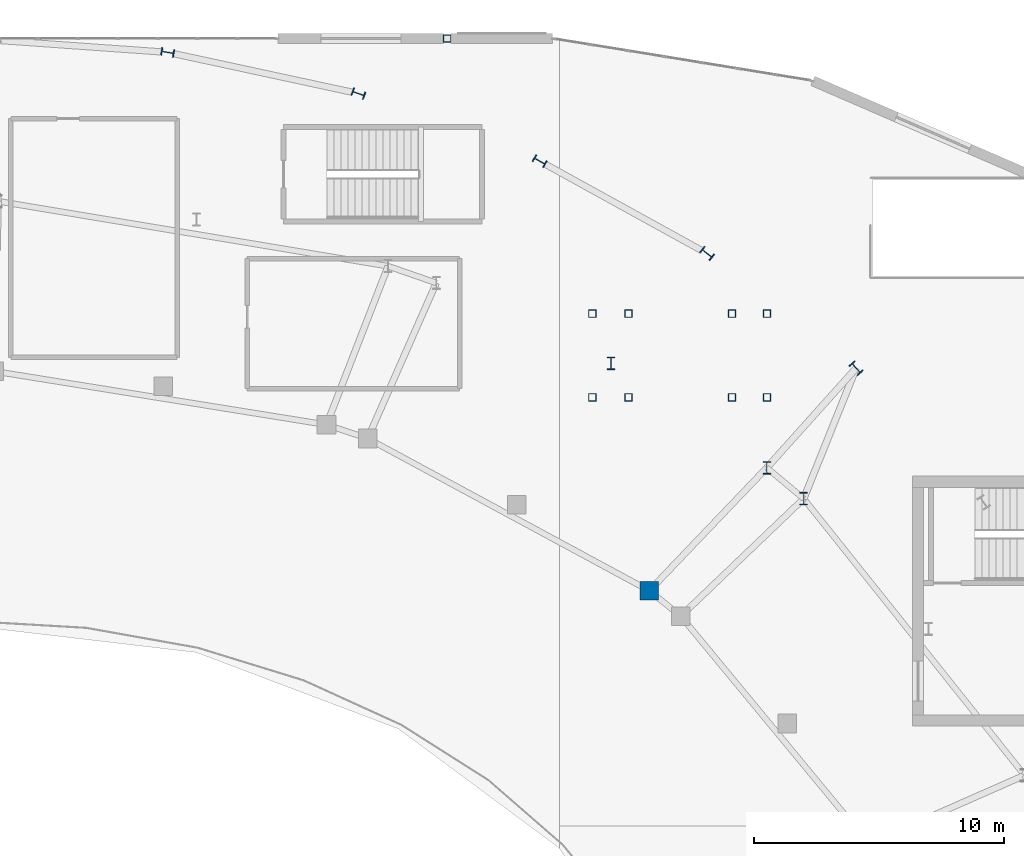
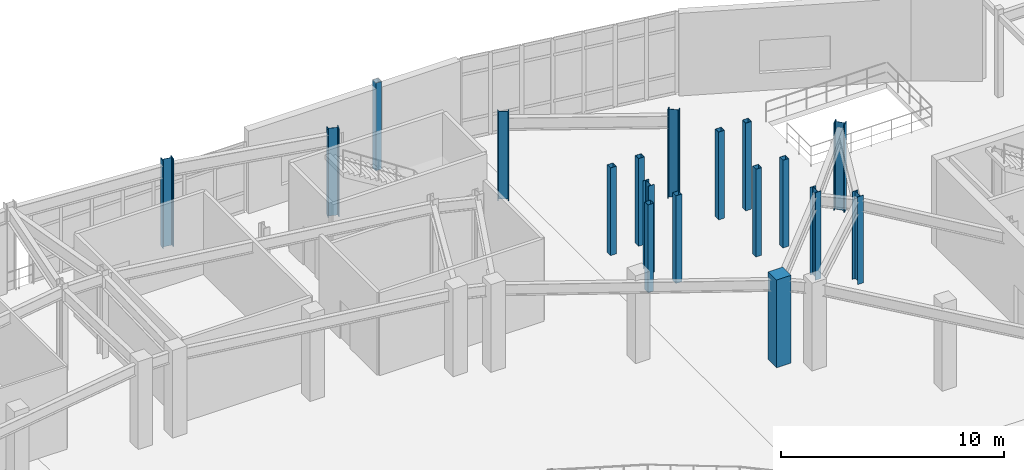
# One storey, part 16 of 86: 18 columns.
"""IFC4 building model written with IfcOpenShell, lengths in metres."""

from ifc_helpers import new_model, si_unit, direction, frame, origin, origin_2d, place, context, subcontext, project, spatial, rectangle, hollow_rectangle, i_section, extrude, material, material_profile, profile_set, type_object, element, save


model = new_model("IFC4")

# Units and contexts
model_context = context("Model", 3, precision=1e-05, world=origin(), true_north=direction((0.0, 1.0)))
body_context = subcontext(model_context, "Body", "Model", "MODEL_VIEW")
ifc_project = project(units=[si_unit("LENGTHUNIT", "METRE"), si_unit("AREAUNIT", "SQUARE_METRE"), si_unit("VOLUMEUNIT", "CUBIC_METRE"), si_unit("PLANEANGLEUNIT", "RADIAN"), si_unit("MASSUNIT", "GRAM", prefix="KILO")], contexts=[model_context])

# Site, building, storey
site_placement = place(None, origin())
site = spatial("IfcSite", under=ifc_project, at=site_placement, CompositionType="ELEMENT")
building_placement = place(site_placement, origin())
building = spatial("IfcBuilding", under=site, at=building_placement, Name="Glasvene Arena", CompositionType="ELEMENT")
storey_placement = place(building_placement, frame((0.0, 0.0, 5.39990234375)))
storey = spatial("IfcBuildingStorey", under=building, at=storey_placement, Name="L01", CompositionType="ELEMENT", Elevation=5.39990234375)

# Columns
ifc_material_1 = material(Name="Concrete C40/50", Category="concrete")
ifc_material_profile_1 = material_profile(ifc_material_1, rectangle(XDim=0.75, YDim=0.75, at=origin_2d()), Name="RC 750x750")
ifc_profile_set_1 = profile_set([ifc_material_profile_1], Name="Concrete C40/50")
column_type_1 = type_object("IfcColumnType", Name="COL-MID-RC750", PredefinedType="COLUMN", material=ifc_profile_set_1)
column_placement = place(storey_placement, frame((119.08251953125, 95.918212890625, 0.0), z_axis=(0.0, 0.0, 1.0), x_axis=(1.0, 0.0, 0.0)))
element("IfcColumn", 1, at=column_placement, inside=storey, type_object=column_type_1, Name="Mid-bowl fulcrum column L01 03-1", PredefinedType="COLUMN", context=body_context, shape_type="SweptSolid", body=[
    extrude(rectangle(XDim=0.75, YDim=0.75, at=origin_2d()), origin(), (0.0, 0.0, 1.0), 4.800048828125),
])
ifc_material_2 = material(Name="Steel S355J2", Category="steel")
ifc_material_profile_2 = material_profile(ifc_material_2, i_section(OverallWidth=0.305908203125, OverallDepth=0.52392578125, WebThickness=0.02099609375, FlangeThickness=0.0400390625, FilletRadius=0.027099609375, at=origin_2d()), Name="HEM 500")
ifc_profile_set_2 = profile_set([ifc_material_profile_2], Name="Steel S355J2")
column_type_2 = type_object("IfcColumnType", Name="COL-RING-HEM500", PredefinedType="COLUMN", material=ifc_profile_set_2)
for number, where, z_axis, x_axis, name in (
    (2, (127.355224609375, 104.81982421875, 0.0), (0.0, 0.0, 1.0), (0.74326159948, 0.669000892928, 0.0), "Bowl ring column R06 L01"),
    (3, (121.389404296875, 109.40576171875, 0.0), (0.0, 0.0, 1.0), (0.628098877137, 0.778133536444, 0.0), "Bowl ring column R07 L01"),
    (4, (114.699462890625, 113.09521484375, 0.0), (0.0, 0.0, 1.0), (0.492727341548, 0.87018375467, 0.0), "Bowl ring column R08 L01"),
    (5, (107.45068359375, 115.797607421875, 0.0), (0.0, 0.0, 1.0), (0.339558864524, 0.94058480613, 0.0), "Bowl ring column R09 L01"),
    (6, (99.82177734375, 117.446044921875, 0.0), (0.0, 0.0, 1.0), (0.173304404339, 0.984868307662, 0.0), "Bowl ring column R10 L01"),
):
    element("IfcColumn", number, at=place(storey_placement, frame(where, z_axis=z_axis, x_axis=x_axis)), inside=storey, type_object=column_type_2, Name=name, PredefinedType="COLUMN", context=body_context, shape_type="SweptSolid", body=[
        extrude(i_section(OverallWidth=0.305908203125, OverallDepth=0.52392578125, WebThickness=0.02099609375, FlangeThickness=0.0400390625, FilletRadius=0.027099609375, at=origin_2d()), origin(), (0.0, 0.0, 1.0), 4.800048828125),
    ])
ifc_material_profile_3 = material_profile(ifc_material_2, i_section(OverallWidth=0.300048828125, OverallDepth=0.5, WebThickness=0.014404296875, FlangeThickness=0.028076171875, FilletRadius=0.027099609375, at=origin_2d()), Name="HEB 500")
ifc_profile_set_3 = profile_set([ifc_material_profile_3], Name="Steel S355J2")
column_type_3 = type_object("IfcColumnType", Name="COL-W-HEB500", PredefinedType="COLUMN", material=ifc_profile_set_3)
for number, where, z_axis, x_axis, name in (
    (7, (125.256591796875, 99.59912109375, 0.0), (0.0, 0.0, 1.0), (1.0, 0.0, 0.0), "Upper raker rear column L01 02-2"),
    (8, (123.780517578125, 100.834228515625, 0.0), (0.0, 0.0, 1.0), (1.0, 0.0, 0.0), "Upper raker rear column L01 03-1"),
    (9, (117.55615234375, 105.01171875, 0.0), (0.0, 0.0, 1.0), (1.0, 0.0, 0.0), "Mid-sector rear raker column L01 03"),
):
    element("IfcColumn", number, at=place(storey_placement, frame(where, z_axis=z_axis, x_axis=x_axis)), inside=storey, type_object=column_type_3, Name=name, PredefinedType="COLUMN", context=body_context, shape_type="SweptSolid", body=[
        extrude(i_section(OverallWidth=0.300048828125, OverallDepth=0.5, WebThickness=0.014404296875, FlangeThickness=0.028076171875, FilletRadius=0.027099609375, at=origin_2d()), origin(), (0.0, 0.0, 1.0), 4.800048828125),
    ])
ifc_material_profile_4 = material_profile(ifc_material_2, hollow_rectangle(XDim=0.300048828125, YDim=0.300048828125, WallThickness=0.012451171875, at=origin_2d()), Name="SHS 300x300x12.5")
ifc_profile_set_4 = profile_set([ifc_material_profile_4], Name="Steel S355J2")
column_type_4 = type_object("IfcColumnType", Name="COL-W-SHS300", PredefinedType="COLUMN", material=ifc_profile_set_4)
for number, where, z_axis, x_axis, name in (
    (10, (111.0, 118.0, 0.0), (0.0, 0.0, 1.0), (1.0, 0.0, 0.0), "Grid column 13-14 L01"),
    (11, (116.800048828125, 103.64990234375, 0.0), (0.0, 0.0, 1.0), (1.0, 0.0, 0.0), "Vomitory arrival support column VOM-08 L01"),
    (12, (116.800048828125, 107.0, 0.0), (0.0, 0.0, 1.0), (1.0, 0.0, 0.0), "Vomitory arrival support column VOM-08 L01"),
    (13, (118.25, 103.64990234375, 0.0), (0.0, 0.0, 1.0), (1.0, 0.0, 0.0), "Vomitory arrival support column VOM-08 L01"),
    (14, (118.25, 107.0, 0.0), (0.0, 0.0, 1.0), (1.0, 0.0, 0.0), "Vomitory arrival support column VOM-08 L01"),
    (15, (122.389892578125, 103.64990234375, 0.0), (0.0, 0.0, 1.0), (1.0, 0.0, 0.0), "Vomitory landing column VOM-08 L01"),
    (16, (122.389892578125, 107.0, 0.0), (0.0, 0.0, 1.0), (1.0, 0.0, 0.0), "Vomitory landing column VOM-08 L01"),
    (17, (123.7900390625, 103.64990234375, 0.0), (0.0, 0.0, 1.0), (1.0, 0.0, 0.0), "Vomitory landing column VOM-08 L01"),
    (18, (123.7900390625, 107.0, 0.0), (0.0, 0.0, 1.0), (1.0, 0.0, 0.0), "Vomitory landing column VOM-08 L01"),
):
    element("IfcColumn", number, at=place(storey_placement, frame(where, z_axis=z_axis, x_axis=x_axis)), inside=storey, type_object=column_type_4, Name=name, PredefinedType="COLUMN", context=body_context, shape_type="SweptSolid", body=[
        extrude(hollow_rectangle(XDim=0.300048828125, YDim=0.300048828125, WallThickness=0.012451171875, at=origin_2d()), origin(), (0.0, 0.0, 1.0), 4.800048828125),
    ])

save(model, "model.ifc")
